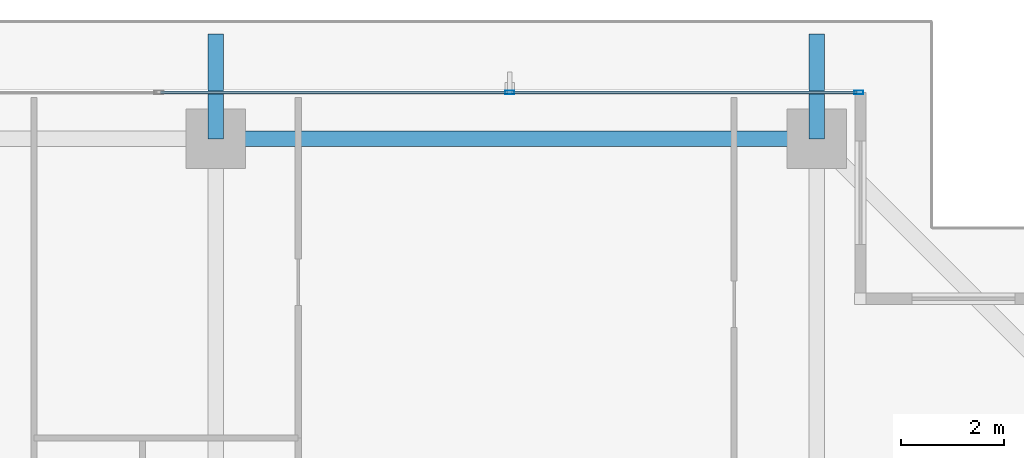
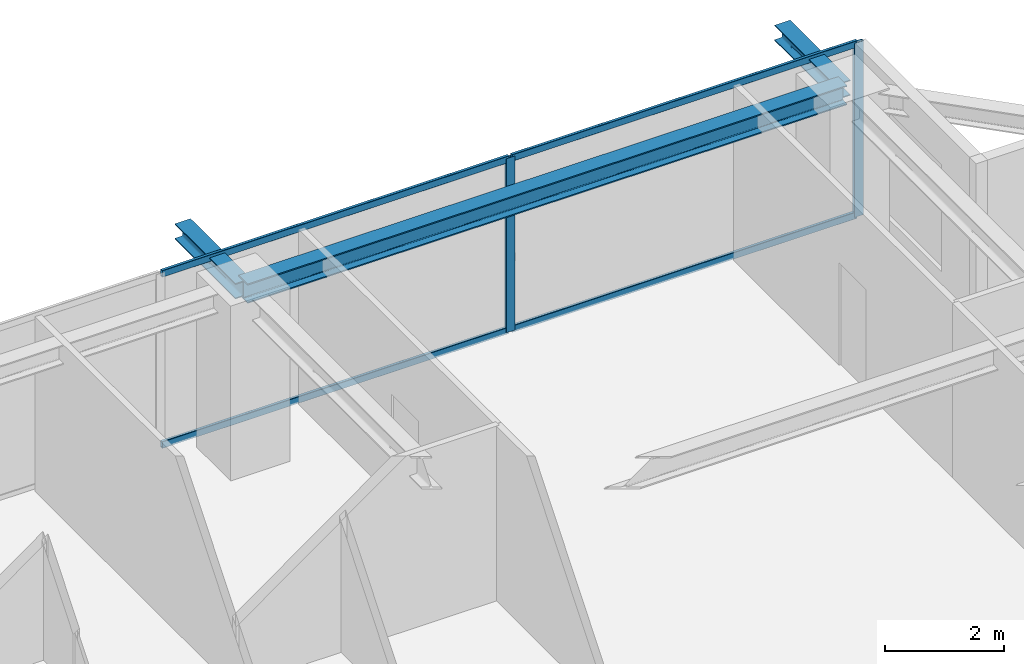
# One storey, part 22 of 38: 6 members, 3 beams, 1 element without a shape of its own.
"""IFC4 building model written with IfcOpenShell, lengths in metres."""

import ifcopenshell
import ifcopenshell.guid

model = None  # the IFC model being written
_history = None  # IfcOwnerHistory: only IFC2X3 demands one
_inside = {}  # id of a spatial element -> (the spatial element, [elements in it])
_under = {}  # id of a project, library or spatial element -> (it, [spatial elements below it])
_declared = {}  # id of a project -> (the project, [libraries it declares])
_typed = {}  # id of a type object -> (the type object, [elements of that type])
_made_of = {}  # id of a material, layer set ... -> (it, [elements and type objects made of it])


def new_model(schema):
    """Start an empty IFC model of exactly this schema.

    Asked for "IFC4X3", IfcOpenShell would pick the latest addendum, in which some entities
    have other attributes; the version numbers below select the first issue.
    IFC2X3 requires an IfcOwnerHistory on every rooted entity: one is made here for all.
    """
    global model, _history
    if schema == "IFC4X3":
        model = ifcopenshell.file(schema_version=(4, 3, 0, 0))
    else:
        model = ifcopenshell.file(schema=schema)
    _inside.clear()
    _under.clear()
    _declared.clear()
    _typed.clear()
    _made_of.clear()
    _history = None
    if model.schema == "IFC2X3":
        org = make("IfcOrganization", Name="unknown")
        user = make(
            "IfcPersonAndOrganization",
            ThePerson=make("IfcPerson", FamilyName="unknown"),
            TheOrganization=org,
        )
        app = make(
            "IfcApplication",
            ApplicationDeveloper=org,
            Version="unknown",
            ApplicationFullName="unknown",
            ApplicationIdentifier="unknown",
        )
        _history = make(
            "IfcOwnerHistory",
            OwningUser=user,
            OwningApplication=app,
            ChangeAction="ADDED",
            CreationDate=0,
        )
    return model


def make(cls, **values):
    """One entity of the class cls with the attributes given. An attribute that is None is left unset."""
    return model.create_entity(
        cls, **{name: value for name, value in values.items() if value is not None}
    )


def rooted(cls, **values):
    """An entity with a GlobalId (a new one), such as an element, a storey or a relation."""
    return make(cls, GlobalId=ifcopenshell.guid.new(), OwnerHistory=_history, **values)


def si_unit(unit_type, name, prefix=None):
    """IfcSIUnit, for example si_unit("LENGTHUNIT", "METRE", prefix="MILLI")."""
    return make("IfcSIUnit", UnitType=unit_type, Prefix=prefix, Name=name)


def assignment(units):
    """IfcUnitAssignment: the units of a project."""
    return None if units is None else make("IfcUnitAssignment", Units=units)


def point(xyz):
    """IfcCartesianPoint."""
    return None if xyz is None else make("IfcCartesianPoint", Coordinates=xyz)


def direction(xyz):
    """IfcDirection."""
    return None if xyz is None else make("IfcDirection", DirectionRatios=xyz)


def frame(location, z_axis=None, x_axis=None):
    """IfcAxis2Placement3D, a coordinate frame: its origin and axes. An axis left out is left unset."""
    return make(
        "IfcAxis2Placement3D",
        Location=point(location),
        Axis=direction(z_axis),
        RefDirection=direction(x_axis),
    )


def frame_2d(location, x_axis=None):
    """IfcAxis2Placement2D, a coordinate frame in the plane: its origin and x axis."""
    return make(
        "IfcAxis2Placement2D", Location=point(location), RefDirection=direction(x_axis)
    )


def origin():
    """The frame at (0, 0, 0) with its axes left unset."""
    return frame((0.0, 0.0, 0.0))


def origin_2d():
    """The frame at (0, 0) in the plane with its x axis left unset."""
    return frame_2d((0.0, 0.0))


def place(relative_to, where):
    """IfcLocalPlacement: puts the frame where relative to a parent placement (None: the world)."""
    return make(
        "IfcLocalPlacement", PlacementRelTo=relative_to, RelativePlacement=where
    )


def context(
    kind, dimensions, precision=None, world=None, true_north=None, identifier=None
):
    """IfcGeometricRepresentationContext, for example the 3D "Model" context."""
    return make(
        "IfcGeometricRepresentationContext",
        ContextIdentifier=identifier,
        ContextType=kind,
        CoordinateSpaceDimension=dimensions,
        Precision=precision,
        WorldCoordinateSystem=world,
        TrueNorth=true_north,
    )


def subcontext(parent, identifier, kind, view, scale=None):
    """IfcGeometricRepresentationSubContext, for example "Body" below "Model"."""
    return make(
        "IfcGeometricRepresentationSubContext",
        ContextIdentifier=identifier,
        ContextType=kind,
        ParentContext=parent,
        TargetScale=scale,
        TargetView=view,
    )


def project(units=None, contexts=None):
    """IfcProject with its units and contexts."""
    return rooted(
        "IfcProject",
        Name="project",
        RepresentationContexts=contexts,
        UnitsInContext=assignment(units),
    )


def spatial(cls, under=None, at=None, **own):
    """A site, building, storey or space (cls), placed at a placement, below another one or the project."""
    s = rooted(cls, ObjectPlacement=at, **own)
    if under is not None:
        _under.setdefault(under.id(), (under, []))[1].append(s)
    return s


def profile(cls, at=None, kind="AREA", **sizes):
    """A parametric profile (cls). Its sizes go by their IFC names, for example OverallWidth=200.0."""
    return make(cls, ProfileType=kind, Position=at, **sizes)


def hollow_rectangle(**sizes):
    """IfcRectangleHollowProfileDef."""
    return profile("IfcRectangleHollowProfileDef", **sizes)


def i_section(**sizes):
    """IfcIShapeProfileDef."""
    return profile("IfcIShapeProfileDef", **sizes)


def extrude(swept, where, along, depth):
    """IfcExtrudedAreaSolid: the profile swept, set in the frame where, extruded along a direction by depth."""
    return make(
        "IfcExtrudedAreaSolid",
        SweptArea=swept,
        Position=where,
        ExtrudedDirection=direction(along),
        Depth=depth,
    )


def shape(context_of_items, identifier, shape_type, items):
    """IfcShapeRepresentation: the items that make up one representation, for example the "Body"."""
    return make(
        "IfcShapeRepresentation",
        ContextOfItems=context_of_items,
        RepresentationIdentifier=identifier,
        RepresentationType=shape_type,
        Items=items,
    )


def source(mapping_origin, context_of_items, identifier, shape_type, items):
    """IfcRepresentationMap: a shape defined once, which mapped items show again and again."""
    return make(
        "IfcRepresentationMap",
        MappingOrigin=mapping_origin,
        MappedRepresentation=shape(context_of_items, identifier, shape_type, items),
    )


def transform(
    local_origin,
    x_axis=None,
    y_axis=None,
    z_axis=None,
    scale=None,
    scale2=None,
    scale3=None,
    uniform=True,
):
    """IfcCartesianTransformationOperator3D, or its non-uniform kind. x_axis, y_axis, z_axis: its Axis1, 2, 3."""
    if uniform:
        return make(
            "IfcCartesianTransformationOperator3D",
            Axis1=direction(x_axis),
            Axis2=direction(y_axis),
            LocalOrigin=point(local_origin),
            Scale=scale,
            Axis3=direction(z_axis),
        )
    return make(
        "IfcCartesianTransformationOperator3DnonUniform",
        Axis1=direction(x_axis),
        Axis2=direction(y_axis),
        LocalOrigin=point(local_origin),
        Scale=scale,
        Axis3=direction(z_axis),
        Scale2=scale2,
        Scale3=scale3,
    )


def mapped(mapping_source, mapping_target):
    """IfcMappedItem: shows the shape of a source again, moved by a transform."""
    return make(
        "IfcMappedItem", MappingSource=mapping_source, MappingTarget=mapping_target
    )


def material(Name=None, Category=None):
    """IfcMaterial."""
    return make("IfcMaterial", Name=Name, Category=Category)


def layer(
    of_material, thickness, ventilated=None, Name=None, Category=None, Priority=None
):
    """IfcMaterialLayer: one layer of a wall or slab, of a material (None: an air gap)."""
    return make(
        "IfcMaterialLayer",
        Material=of_material,
        LayerThickness=thickness,
        IsVentilated=ventilated,
        Name=Name,
        Category=Category,
        Priority=Priority,
    )


def layer_set(layers, Name=None):
    """IfcMaterialLayerSet."""
    return make("IfcMaterialLayerSet", MaterialLayers=layers, LayerSetName=Name)


def material_profile(
    of_material, cross_section, Name=None, Category=None, Priority=None
):
    """IfcMaterialProfile: a cross section and its material."""
    return make(
        "IfcMaterialProfile",
        Name=Name,
        Material=of_material,
        Profile=cross_section,
        Priority=Priority,
        Category=Category,
    )


def profile_set(profiles, Name=None, composite=None):
    """IfcMaterialProfileSet."""
    return make(
        "IfcMaterialProfileSet",
        Name=Name,
        MaterialProfiles=profiles,
        CompositeProfile=composite,
    )


def made_of(thing, what):
    """Note that an element or type object is made of a material, layer set ...; save() writes the relation."""
    if what is not None:
        _made_of.setdefault(what.id(), (what, []))[1].append(thing)
    return thing


def type_object(cls, material=None, **own):
    """A type object (cls), such as IfcWallType, which elements share."""
    return made_of(rooted(cls, **own), material)


def element(
    cls,
    number,
    at=None,
    inside=None,
    cuts=None,
    type_object=None,
    material=None,
    context=None,
    identifier="Body",
    shape_type=None,
    held_by="IfcProductDefinitionShape",
    body=None,
    shapes=None,
    **own,
):
    """One element of the class cls, such as IfcWall. Its Tag is "e" and its number.

    at: its placement. inside: the storey or other place that contains it. cuts: it is an
    opening in that element (IfcRelVoidsElement). A single representation is given by context,
    identifier, shape_type and body (its items); several are given by shapes. held_by: the class
    of the entity that holds the representations. save() writes the other relations.
    """
    e = rooted(cls, Tag="e%d" % number, ObjectPlacement=at, **own)
    if body is not None:
        shapes = [shape(context, identifier, shape_type, body)]
    if shapes is not None:
        e.Representation = make(held_by, Representations=shapes)
    if inside is not None:
        _inside.setdefault(inside.id(), (inside, []))[1].append(e)
    if cuts is not None:
        rooted(
            "IfcRelVoidsElement", RelatingBuildingElement=cuts, RelatedOpeningElement=e
        )
    if type_object is not None:
        _typed.setdefault(type_object.id(), (type_object, []))[1].append(e)
    return made_of(e, material)


def aggregate(whole, parts):
    """IfcRelAggregates: a whole, such as a stair, and the parts it consists of."""
    return rooted("IfcRelAggregates", RelatingObject=whole, RelatedObjects=parts)


def save(model, path):
    """Write the relations noted so far, then the file.

    IfcRelAggregates (storeys below a building ...), IfcRelContainedInSpatialStructure (elements
    in a storey), IfcRelDefinesByType, IfcRelAssociatesMaterial and IfcRelDeclares: one each for
    every whole, place, type object, material and project.
    """
    for whole, parts in _under.values():
        aggregate(whole, parts)
    for where, things in _inside.values():
        rooted(
            "IfcRelContainedInSpatialStructure",
            RelatedElements=things,
            RelatingStructure=where,
        )
    for kind, things in _typed.values():
        rooted("IfcRelDefinesByType", RelatedObjects=things, RelatingType=kind)
    for what, things in _made_of.values():
        rooted("IfcRelAssociatesMaterial", RelatedObjects=things, RelatingMaterial=what)
    for by, libraries in _declared.values():
        rooted("IfcRelDeclares", RelatingContext=by, RelatedDefinitions=libraries)
    model.write(path)


model = new_model("IFC4")

# Units and contexts
model_context = context("Model", 3, precision=1e-05, world=origin(), true_north=direction((0.0, 1.0)))
body_context = subcontext(model_context, "Body", "Model", "MODEL_VIEW")
ifc_project = project(units=[si_unit("LENGTHUNIT", "METRE"), si_unit("AREAUNIT", "SQUARE_METRE"), si_unit("VOLUMEUNIT", "CUBIC_METRE"), si_unit("PLANEANGLEUNIT", "RADIAN"), si_unit("MASSUNIT", "GRAM", prefix="KILO")], contexts=[model_context])

# Site, building, storey
site_placement = place(None, origin())
site = spatial("IfcSite", under=ifc_project, at=site_placement, CompositionType="ELEMENT")
building_placement = place(site_placement, origin())
building = spatial("IfcBuilding", under=site, at=building_placement, Name="Serunith Strait Residences", CompositionType="ELEMENT")
storey_placement = place(building_placement, frame((0.0, 0.0, 241.25)))
storey = spatial("IfcBuildingStorey", under=building, at=storey_placement, Name="L60", CompositionType="ELEMENT", Elevation=241.25)

# Beams
ifc_material_1 = material(Name="Steel S355J2", Category="steel")
ifc_material_profile_1 = material_profile(ifc_material_1, i_section(OverallWidth=0.300048828125, OverallDepth=0.39990234375, WebThickness=0.013427734375, FlangeThickness=0.02392578125, FilletRadius=0.027099609375, at=origin_2d()), Name="HEB 400")
ifc_profile_set_1 = profile_set([ifc_material_profile_1], Name="Steel S355J2")
beam_type_1 = type_object("IfcBeamType", Name="BM-HEB400", PredefinedType="BEAM", material=ifc_profile_set_1)
shared_shape_1 = source(origin(), body_context, "Body", "SweptSolid", [
    extrude(i_section(OverallWidth=0.300048828125, OverallDepth=0.39990234375, WebThickness=0.013427734375, FlangeThickness=0.02392578125, FilletRadius=0.027099609375, at=origin_2d()), origin(), (0.0, 0.0, 1.0), 11.650146484375),
])
beam_placement = place(storey_placement, frame((48.550048828125, 48.300048828125, 3.386962890625), z_axis=(-1.0, 0.0, 0.0), x_axis=(0.0, -1.0, 0.0)))
element("IfcBeam", 1, at=beam_placement, inside=storey, type_object=beam_type_1, Name="L60 Perimeter Ring Beam 09", PredefinedType="BEAM", context=body_context, shape_type="MappedRepresentation", body=[
    mapped(shared_shape_1, transform((0.0, 0.0, 0.0), scale=1.0)),
])
ifc_material_profile_2 = material_profile(ifc_material_1, i_section(OverallWidth=0.300048828125, OverallDepth=0.320068359375, WebThickness=0.011474609375, FlangeThickness=0.0205078125, FilletRadius=0.027099609375, at=origin_2d()), Name="HEB 320")
ifc_profile_set_2 = profile_set([ifc_material_profile_2], Name="Steel S355J2")
beam_type_2 = type_object("IfcBeamType", Name="BM-HEB320", PredefinedType="BEAM", material=ifc_profile_set_2)
shared_shape_2 = source(origin(), body_context, "Body", "SweptSolid", [
    extrude(i_section(OverallWidth=0.300048828125, OverallDepth=0.320068359375, WebThickness=0.011474609375, FlangeThickness=0.0205078125, FilletRadius=0.027099609375, at=origin_2d()), origin(), (0.0, 0.0, 1.0), 2.030029296875),
])
for number, where, z_axis, x_axis, name in (
    (2, (36.89990234375, 48.300048828125, 3.39697265625), (0.0, 1.0, 0.0), (-1.0, 0.0, 0.0), "L61 Cantilevered Balcony Rib TC-N3"),
    (3, (48.550048828125, 48.300048828125, 3.39697265625), (0.0, 1.0, 0.0), (-1.0, 0.0, 0.0), "L61 Cantilevered Balcony Rib TC-N4"),
):
    element("IfcBeam", number, at=place(storey_placement, frame(where, z_axis=z_axis, x_axis=x_axis)), inside=storey, type_object=beam_type_2, Name=name, PredefinedType="BEAM", context=body_context, shape_type="MappedRepresentation", body=[
        mapped(shared_shape_2, transform((0.0, 0.0, 0.0), scale=1.0)),
    ])

# Curtain wall, members
ifc_material_2 = material(Name="Pale-Champagne Anodised Aluminium", Category="aluminium")
ifc_layer = layer(ifc_material_2, 0.199951171875, Name="Pale-Champagne Anodised Aluminium")
ifc_layer_set = layer_set([ifc_layer], Name="Pale-Champagne Anodised Aluminium")
curtain_wall_type = type_object("IfcCurtainWallType", Name="CW-SYS4", PredefinedType="NOTDEFINED", material=ifc_layer_set)
curtain_wall_placement = place(storey_placement, origin())
curtain_wall = element("IfcCurtainWall", 4, at=curtain_wall_placement, inside=storey, type_object=curtain_wall_type, Name="L60 N Unitised Fritted Curtain Wall", PredefinedType="NOTDEFINED")
ifc_material_profile_3 = material_profile(ifc_material_2, hollow_rectangle(XDim=0.06494140625, YDim=0.179931640625, WallThickness=0.00341796875, InnerFilletRadius=0.00537109375, OuterFilletRadius=0.0087890625, at=origin_2d()), Name="ALU 180x65x3.5")
ifc_profile_set_3 = profile_set([ifc_material_profile_3], Name="Pale-Champagne Anodised Aluminium")
member_type_1 = type_object("IfcMemberType", Name="CW-SYS4-MULL", PredefinedType="MULLION", material=ifc_profile_set_3)
shared_shape_3 = source(origin(), body_context, "Body", "SweptSolid", [
    extrude(hollow_rectangle(XDim=0.06494140625, YDim=0.179931640625, WallThickness=0.00341796875, InnerFilletRadius=0.00537109375, OuterFilletRadius=0.0087890625, at=origin_2d()), origin(), (0.0, 0.0, 1.0), 3.574951171875),
])
member_1_placement = place(storey_placement, frame((49.367431640625, 49.199951171875, 0.0), z_axis=(0.0, 0.0, 1.0), x_axis=(0.0, -1.0, 0.0)))
member_1 = element("IfcMember", 5, at=member_1_placement, type_object=member_type_1, Name="CW-4 mullion 1", PredefinedType="MULLION", context=body_context, shape_type="MappedRepresentation", body=[
    mapped(shared_shape_3, transform((0.0, 0.0, 0.0), scale=1.0)),
])
member_2_placement = place(storey_placement, frame((42.60009765625, 49.199951171875, 0.0), z_axis=(0.0, 0.0, 1.0), x_axis=(0.0, -1.0, 0.0)))
member_2 = element("IfcMember", 6, at=member_2_placement, type_object=member_type_1, Name="CW-4 mullion 2", PredefinedType="MULLION", context=body_context, shape_type="MappedRepresentation", body=[
    mapped(shared_shape_3, transform((0.0, 0.0, 0.0), scale=1.0)),
])
ifc_material_profile_4 = material_profile(ifc_material_2, hollow_rectangle(XDim=0.06005859375, YDim=0.139892578125, WallThickness=0.00341796875, InnerFilletRadius=0.00537109375, OuterFilletRadius=0.0087890625, at=origin_2d()), Name="ALU 140x60x3.5")
ifc_profile_set_4 = profile_set([ifc_material_profile_4], Name="Pale-Champagne Anodised Aluminium")
member_type_2 = type_object("IfcMemberType", Name="CW-SYS4-TRAN", PredefinedType="USERDEFINED", material=ifc_profile_set_4)
shared_shape_4 = source(origin(), body_context, "Body", "SweptSolid", [
    extrude(hollow_rectangle(XDim=0.06005859375, YDim=0.139892578125, WallThickness=0.00341796875, InnerFilletRadius=0.00537109375, OuterFilletRadius=0.0087890625, at=origin_2d()), origin(), (0.0, 0.0, 1.0), 6.702392578125),
])
member_3_placement = place(storey_placement, frame((49.3349609375, 49.199951171875, 0.030029296875), z_axis=(-1.0, 0.0, 0.0), x_axis=(0.0, -1.0, 0.0)))
member_3 = element("IfcMember", 7, at=member_3_placement, type_object=member_type_2, Name="CW-4 transom 1.1", ObjectType="TRANSOM", PredefinedType="USERDEFINED", context=body_context, shape_type="MappedRepresentation", body=[
    mapped(shared_shape_4, transform((0.0, 0.0, 0.0), scale=1.0)),
])
member_4_placement = place(storey_placement, frame((49.3349609375, 49.199951171875, 3.544921875), z_axis=(-1.0, 0.0, 0.0), x_axis=(0.0, -1.0, 0.0)))
member_4 = element("IfcMember", 8, at=member_4_placement, type_object=member_type_2, Name="CW-4 transom 1.2", ObjectType="TRANSOM", PredefinedType="USERDEFINED", context=body_context, shape_type="MappedRepresentation", body=[
    mapped(shared_shape_4, transform((0.0, 0.0, 0.0), scale=1.0)),
])
shared_shape_5 = source(origin(), body_context, "Body", "SweptSolid", [
    extrude(hollow_rectangle(XDim=0.06005859375, YDim=0.139892578125, WallThickness=0.00341796875, InnerFilletRadius=0.00537109375, OuterFilletRadius=0.0087890625, at=origin_2d()), origin(), (0.0, 0.0, 1.0), 6.73486328125),
])
member_5_placement = place(storey_placement, frame((42.5673828125, 49.199951171875, 0.030029296875), z_axis=(-1.0, 0.0, 0.0), x_axis=(0.0, -1.0, 0.0)))
member_5 = element("IfcMember", 9, at=member_5_placement, type_object=member_type_2, Name="CW-4 transom 2.1", ObjectType="TRANSOM", PredefinedType="USERDEFINED", context=body_context, shape_type="MappedRepresentation", body=[
    mapped(shared_shape_5, transform((0.0, 0.0, 0.0), scale=1.0)),
])
member_6_placement = place(storey_placement, frame((42.5673828125, 49.199951171875, 3.544921875), z_axis=(-1.0, 0.0, 0.0), x_axis=(0.0, -1.0, 0.0)))
member_6 = element("IfcMember", 10, at=member_6_placement, type_object=member_type_2, Name="CW-4 transom 2.2", ObjectType="TRANSOM", PredefinedType="USERDEFINED", context=body_context, shape_type="MappedRepresentation", body=[
    mapped(shared_shape_5, transform((0.0, 0.0, 0.0), scale=1.0)),
])
aggregate(curtain_wall, [member_1, member_2, member_3, member_4, member_5, member_6])

save(model, "model.ifc")
